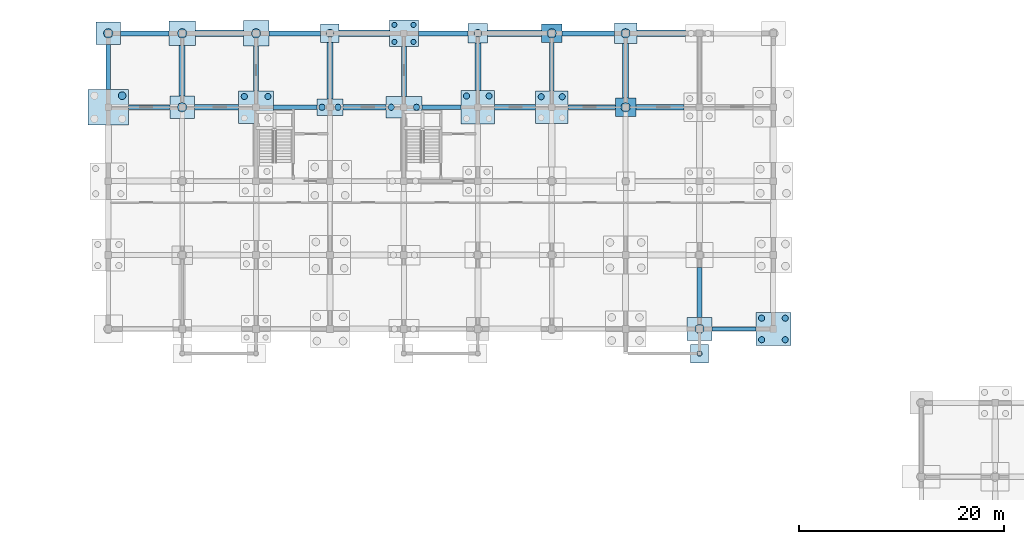
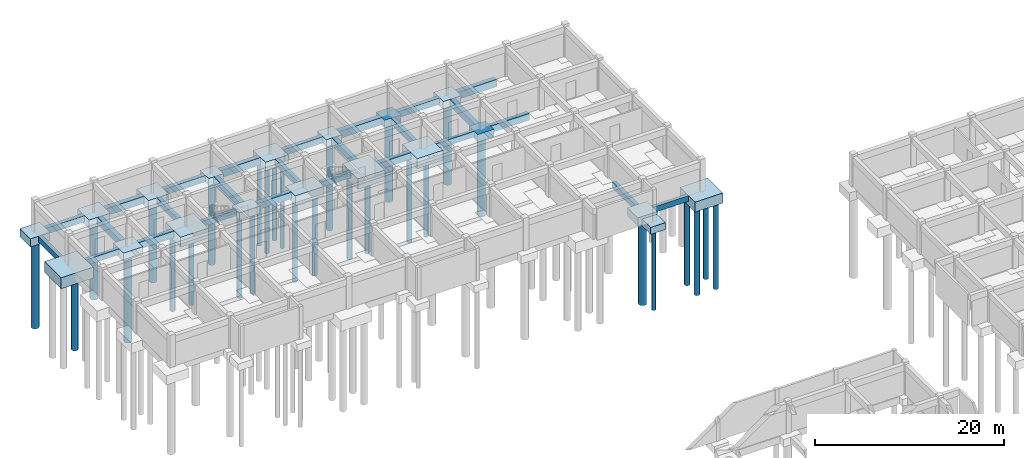
# One storey, part 15 of 38: 45 footings, 30 piles.
"""IFC4 building model written with IfcOpenShell, lengths in metres."""

from ifc_helpers import new_model, si_unit, direction, frame, origin, origin_2d, place, context, subcontext, project, spatial, polyline, rectangle, circle, outline, extrude, material, material_profile, profile_set, type_object, element, save


model = new_model("IFC4")

# Units and contexts
model_context = context("Model", 3, precision=1e-05, world=origin(), true_north=direction((0.0, 1.0)))
body_context = subcontext(model_context, "Body", "Model", "MODEL_VIEW")
ifc_project = project(units=[si_unit("LENGTHUNIT", "METRE"), si_unit("AREAUNIT", "SQUARE_METRE"), si_unit("VOLUMEUNIT", "CUBIC_METRE"), si_unit("PLANEANGLEUNIT", "RADIAN"), si_unit("MASSUNIT", "GRAM", prefix="KILO"), si_unit("THERMODYNAMICTEMPERATUREUNIT", "KELVIN"), si_unit("POWERUNIT", "WATT")], contexts=[model_context])

# Site, building, storey
site_placement = place(None, origin())
site = spatial("IfcSite", under=ifc_project, at=site_placement, CompositionType="ELEMENT")
building_placement = place(site_placement, origin())
building = spatial("IfcBuilding", under=site, at=building_placement, Name="Tavuni Mirador Residences", CompositionType="ELEMENT")
storey_placement = place(building_placement, frame((0.0, 0.0, -4.199951171875)))
storey = spatial("IfcBuildingStorey", under=building, at=storey_placement, Name="B1", CompositionType="ELEMENT", Elevation=-4.199951171875)

# Footings
ifc_material = material(Name="In-situ concrete C35/45", Category="concrete")
footing_type_1 = type_object("IfcFootingType", Name="FT-GB01", PredefinedType="FOOTING_BEAM", material=ifc_material)
footing_1_placement = place(storey_placement, frame((0.0, 0.0, -0.719970703125)))
element("IfcFooting", 1, at=footing_1_placement, inside=storey, type_object=footing_type_1, Name="GBX-BLK-C-00-03", PredefinedType="FOOTING_BEAM", context=body_context, shape_type="SweptSolid", body=[
    extrude(outline(polyline([(12.77490234375, 165.389892578125), (16.800048828125, 165.389892578125), (16.800048828125, 165.81005859375), (12.77490234375, 165.81005859375), (12.77490234375, 165.389892578125)])), origin(), (0.0, 0.0, 1.0), 0.719970703125),
])
footing_2_placement = place(storey_placement, frame((0.0, 0.0, -0.719970703125)))
element("IfcFooting", 2, at=footing_2_placement, inside=storey, type_object=footing_type_1, Name="GBX-BLK-C-02-03", PredefinedType="FOOTING_BEAM", context=body_context, shape_type="SweptSolid", body=[
    extrude(outline(polyline([(26.89990234375, 165.389892578125), (31.14990234375, 165.389892578125), (31.14990234375, 165.81005859375), (26.89990234375, 165.81005859375), (26.89990234375, 165.389892578125)])), origin(), (0.0, 0.0, 1.0), 0.719970703125),
])
footing_3_placement = place(storey_placement, frame((0.0, 0.0, -0.719970703125)))
element("IfcFooting", 3, at=footing_3_placement, inside=storey, type_object=footing_type_1, Name="GBX-BLK-C-04-03", PredefinedType="FOOTING_BEAM", context=body_context, shape_type="SweptSolid", body=[
    extrude(outline(polyline([(41.35009765625, 165.389892578125), (45.14990234375, 165.389892578125), (45.14990234375, 165.81005859375), (41.35009765625, 165.81005859375), (41.35009765625, 165.389892578125)])), origin(), (0.0, 0.0, 1.0), 0.719970703125),
])
footing_4_placement = place(storey_placement, frame((0.0, 0.0, -0.719970703125)))
element("IfcFooting", 4, at=footing_4_placement, inside=storey, type_object=footing_type_1, Name="GBX-BLK-C-06-03", PredefinedType="FOOTING_BEAM", context=body_context, shape_type="SweptSolid", body=[
    extrude(outline(polyline([(55.574951171875, 165.389892578125), (60.199951171875, 165.389892578125), (60.199951171875, 165.81005859375), (55.574951171875, 165.81005859375), (55.574951171875, 165.389892578125)])), origin(), (0.0, 0.0, 1.0), 0.719970703125),
])
footing_5_placement = place(storey_placement, frame((0.0, 0.0, -0.719970703125)))
element("IfcFooting", 5, at=footing_5_placement, inside=storey, type_object=footing_type_1, Name="GBX-BLK-C-08-00", PredefinedType="FOOTING_BEAM", context=body_context, shape_type="SweptSolid", body=[
    extrude(outline(polyline([(69.60009765625, 143.7900390625), (73.89990234375, 143.7900390625), (73.89990234375, 144.2099609375), (69.60009765625, 144.2099609375), (69.60009765625, 143.7900390625)])), origin(), (0.0, 0.0, 1.0), 0.719970703125),
])
footing_type_2 = type_object("IfcFootingType", Name="FT-GB02", PredefinedType="FOOTING_BEAM", material=ifc_material)
footing_6_placement = place(storey_placement, frame((0.0, 0.0, -0.760009765625)))
element("IfcFooting", 6, at=footing_6_placement, inside=storey, type_object=footing_type_2, Name="GBY-BLK-C-00-03", PredefinedType="FOOTING_BEAM", context=body_context, shape_type="SweptSolid", body=[
    extrude(outline(polyline([(10.570068359375, 167.35009765625), (11.030029296875, 167.35009765625), (11.030029296875, 171.699951171875), (10.570068359375, 171.699951171875), (10.570068359375, 167.35009765625)])), origin(), (0.0, 0.0, 1.0), 0.760009765625),
])
footing_7_placement = place(storey_placement, frame((0.0, 0.0, -0.760009765625)))
element("IfcFooting", 7, at=footing_7_placement, inside=storey, type_object=footing_type_2, Name="GBY-BLK-C-02-03", PredefinedType="FOOTING_BEAM", context=body_context, shape_type="SweptSolid", body=[
    extrude(outline(polyline([(24.969970703125, 167.199951171875), (25.429931640625, 167.199951171875), (25.429931640625, 171.550048828125), (24.969970703125, 171.550048828125), (24.969970703125, 167.199951171875)])), origin(), (0.0, 0.0, 1.0), 0.760009765625),
])
footing_8_placement = place(storey_placement, frame((0.0, 0.0, -0.760009765625)))
element("IfcFooting", 8, at=footing_8_placement, inside=storey, type_object=footing_type_2, Name="GBY-BLK-C-04-03", PredefinedType="FOOTING_BEAM", context=body_context, shape_type="SweptSolid", body=[
    extrude(outline(polyline([(39.3701171875, 166.64990234375), (39.830078125, 166.64990234375), (39.830078125, 171.5), (39.3701171875, 171.5), (39.3701171875, 166.64990234375)])), origin(), (0.0, 0.0, 1.0), 0.760009765625),
])
footing_9_placement = place(storey_placement, frame((0.0, 0.0, -0.760009765625)))
element("IfcFooting", 9, at=footing_9_placement, inside=storey, type_object=footing_type_2, Name="GBY-BLK-C-06-03", PredefinedType="FOOTING_BEAM", context=body_context, shape_type="SweptSolid", body=[
    extrude(outline(polyline([(53.77001953125, 167.175048828125), (54.22998046875, 167.175048828125), (54.22998046875, 171.89990234375), (53.77001953125, 171.89990234375), (53.77001953125, 167.175048828125)])), origin(), (0.0, 0.0, 1.0), 0.760009765625),
])
footing_10_placement = place(storey_placement, frame((0.0, 0.0, -0.760009765625)))
element("IfcFooting", 10, at=footing_10_placement, inside=storey, type_object=footing_type_2, Name="GBY-BLK-C-08-00", PredefinedType="FOOTING_BEAM", context=body_context, shape_type="SweptSolid", body=[
    extrude(outline(polyline([(68.169921875, 145.10009765625), (68.6298828125, 145.10009765625), (68.6298828125, 150.0), (68.169921875, 150.0), (68.169921875, 145.10009765625)])), origin(), (0.0, 0.0, 1.0), 0.760009765625),
])
footing_type_3 = type_object("IfcFootingType", Name="FT-GB03", PredefinedType="FOOTING_BEAM", material=ifc_material)
footing_11_placement = place(storey_placement, frame((0.0, 0.0, -0.800048828125)))
element("IfcFooting", 11, at=footing_11_placement, inside=storey, type_object=footing_type_3, Name="GBX-BLK-C-00-04", PredefinedType="FOOTING_BEAM", context=body_context, shape_type="SweptSolid", body=[
    extrude(outline(polyline([(12.0, 172.550048828125), (16.699951171875, 172.550048828125), (16.699951171875, 173.050048828125), (12.0, 173.050048828125), (12.0, 172.550048828125)])), origin(), (0.0, 0.0, 1.0), 0.800048828125),
])
footing_12_placement = place(storey_placement, frame((0.0, 0.0, -0.800048828125)))
element("IfcFooting", 12, at=footing_12_placement, inside=storey, type_object=footing_type_3, Name="GBX-BLK-C-02-04", PredefinedType="FOOTING_BEAM", context=body_context, shape_type="SweptSolid", body=[
    extrude(outline(polyline([(26.449951171875, 172.550048828125), (31.5, 172.550048828125), (31.5, 173.050048828125), (26.449951171875, 173.050048828125), (26.449951171875, 172.550048828125)])), origin(), (0.0, 0.0, 1.0), 0.800048828125),
])
footing_13_placement = place(storey_placement, frame((0.0, 0.0, -0.800048828125)))
element("IfcFooting", 13, at=footing_13_placement, inside=storey, type_object=footing_type_3, Name="GBX-BLK-C-04-04", PredefinedType="FOOTING_BEAM", context=body_context, shape_type="SweptSolid", body=[
    extrude(outline(polyline([(41.0, 172.550048828125), (45.85009765625, 172.550048828125), (45.85009765625, 173.050048828125), (41.0, 173.050048828125), (41.0, 172.550048828125)])), origin(), (0.0, 0.0, 1.0), 0.800048828125),
])
footing_14_placement = place(storey_placement, frame((0.0, 0.0, -0.800048828125)))
element("IfcFooting", 14, at=footing_14_placement, inside=storey, type_object=footing_type_3, Name="GBX-BLK-C-06-04", PredefinedType="FOOTING_BEAM", context=body_context, shape_type="SweptSolid", body=[
    extrude(outline(polyline([(55.0, 172.550048828125), (60.10009765625, 172.550048828125), (60.10009765625, 173.050048828125), (55.0, 173.050048828125), (55.0, 172.550048828125)])), origin(), (0.0, 0.0, 1.0), 0.800048828125),
])
footing_type_4 = type_object("IfcFootingType", Name="FT-GB04", PredefinedType="FOOTING_BEAM", material=ifc_material)
footing_15_placement = place(storey_placement, frame((0.0, 0.0, -0.840087890625)))
element("IfcFooting", 15, at=footing_15_placement, inside=storey, type_object=footing_type_4, Name="GBX-BLK-C-01-03", PredefinedType="FOOTING_BEAM", context=body_context, shape_type="SweptSolid", body=[
    extrude(outline(polyline([(19.199951171875, 165.330078125), (23.5, 165.330078125), (23.5, 165.8701171875), (19.199951171875, 165.8701171875), (19.199951171875, 165.330078125)])), origin(), (0.0, 0.0, 1.0), 0.840087890625),
])
footing_16_placement = place(storey_placement, frame((0.0, 0.0, -0.840087890625)))
element("IfcFooting", 16, at=footing_16_placement, inside=storey, type_object=footing_type_4, Name="GBX-BLK-C-03-03", PredefinedType="FOOTING_BEAM", context=body_context, shape_type="SweptSolid", body=[
    extrude(outline(polyline([(33.64990234375, 165.330078125), (37.85009765625, 165.330078125), (37.85009765625, 165.8701171875), (33.64990234375, 165.8701171875), (33.64990234375, 165.330078125)])), origin(), (0.0, 0.0, 1.0), 0.840087890625),
])
footing_17_placement = place(storey_placement, frame((0.0, 0.0, -0.840087890625)))
element("IfcFooting", 17, at=footing_17_placement, inside=storey, type_object=footing_type_4, Name="GBX-BLK-C-05-03", PredefinedType="FOOTING_BEAM", context=body_context, shape_type="SweptSolid", body=[
    extrude(outline(polyline([(48.449951171875, 165.330078125), (52.425048828125, 165.330078125), (52.425048828125, 165.8701171875), (48.449951171875, 165.8701171875), (48.449951171875, 165.330078125)])), origin(), (0.0, 0.0, 1.0), 0.840087890625),
])
footing_18_placement = place(storey_placement, frame((0.0, 0.0, -0.840087890625)))
element("IfcFooting", 18, at=footing_18_placement, inside=storey, type_object=footing_type_4, Name="GBX-BLK-C-07-03", PredefinedType="FOOTING_BEAM", context=body_context, shape_type="SweptSolid", body=[
    extrude(outline(polyline([(62.199951171875, 165.330078125), (66.89990234375, 165.330078125), (66.89990234375, 165.8701171875), (62.199951171875, 165.8701171875), (62.199951171875, 165.330078125)])), origin(), (0.0, 0.0, 1.0), 0.840087890625),
])
footing_type_5 = type_object("IfcFootingType", Name="FT-GB05", PredefinedType="FOOTING_BEAM", material=ifc_material)
footing_19_placement = place(storey_placement, frame((0.0, 0.0, -0.880126953125)))
element("IfcFooting", 19, at=footing_19_placement, inside=storey, type_object=footing_type_5, Name="GBY-BLK-C-01-03", PredefinedType="FOOTING_BEAM", context=body_context, shape_type="SweptSolid", body=[
    extrude(outline(polyline([(17.7099609375, 166.699951171875), (18.2900390625, 166.699951171875), (18.2900390625, 171.60009765625), (17.7099609375, 171.60009765625), (17.7099609375, 166.699951171875)])), origin(), (0.0, 0.0, 1.0), 0.880126953125),
])
footing_20_placement = place(storey_placement, frame((0.0, 0.0, -0.880126953125)))
element("IfcFooting", 20, at=footing_20_placement, inside=storey, type_object=footing_type_5, Name="GBY-BLK-C-03-03", PredefinedType="FOOTING_BEAM", context=body_context, shape_type="SweptSolid", body=[
    extrude(outline(polyline([(32.110107421875, 166.39990234375), (32.68994140625, 166.39990234375), (32.68994140625, 171.89990234375), (32.110107421875, 171.89990234375), (32.110107421875, 166.39990234375)])), origin(), (0.0, 0.0, 1.0), 0.880126953125),
])
footing_21_placement = place(storey_placement, frame((0.0, 0.0, -0.880126953125)))
element("IfcFooting", 21, at=footing_21_placement, inside=storey, type_object=footing_type_5, Name="GBY-BLK-C-05-03", PredefinedType="FOOTING_BEAM", context=body_context, shape_type="SweptSolid", body=[
    extrude(outline(polyline([(46.510009765625, 167.25), (47.090087890625, 167.25), (47.090087890625, 171.85009765625), (46.510009765625, 171.85009765625), (46.510009765625, 167.25)])), origin(), (0.0, 0.0, 1.0), 0.880126953125),
])
footing_22_placement = place(storey_placement, frame((0.0, 0.0, -0.880126953125)))
element("IfcFooting", 22, at=footing_22_placement, inside=storey, type_object=footing_type_5, Name="GBY-BLK-C-07-03", PredefinedType="FOOTING_BEAM", context=body_context, shape_type="SweptSolid", body=[
    extrude(outline(polyline([(60.909912109375, 166.5), (61.489990234375, 166.5), (61.489990234375, 171.800048828125), (60.909912109375, 171.800048828125), (60.909912109375, 166.5)])), origin(), (0.0, 0.0, 1.0), 0.880126953125),
])
footing_type_6 = type_object("IfcFootingType", Name="FT-GB06", PredefinedType="FOOTING_BEAM", material=ifc_material)
footing_23_placement = place(storey_placement, frame((0.0, 0.0, -0.920166015625)))
element("IfcFooting", 23, at=footing_23_placement, inside=storey, type_object=footing_type_6, Name="GBX-BLK-C-01-04", PredefinedType="FOOTING_BEAM", context=body_context, shape_type="SweptSolid", body=[
    extrude(outline(polyline([(19.300048828125, 172.489990234375), (23.949951171875, 172.489990234375), (23.949951171875, 173.110107421875), (19.300048828125, 173.110107421875), (19.300048828125, 172.489990234375)])), origin(), (0.0, 0.0, 1.0), 0.920166015625),
])
footing_24_placement = place(storey_placement, frame((0.0, 0.0, -0.920166015625)))
element("IfcFooting", 24, at=footing_24_placement, inside=storey, type_object=footing_type_6, Name="GBX-BLK-C-03-04", PredefinedType="FOOTING_BEAM", context=body_context, shape_type="SweptSolid", body=[
    extrude(outline(polyline([(33.300048828125, 172.489990234375), (38.199951171875, 172.489990234375), (38.199951171875, 173.110107421875), (33.300048828125, 173.110107421875), (33.300048828125, 172.489990234375)])), origin(), (0.0, 0.0, 1.0), 0.920166015625),
])
footing_25_placement = place(storey_placement, frame((0.0, 0.0, -0.920166015625)))
element("IfcFooting", 25, at=footing_25_placement, inside=storey, type_object=footing_type_6, Name="GBX-BLK-C-05-04", PredefinedType="FOOTING_BEAM", context=body_context, shape_type="SweptSolid", body=[
    extrude(outline(polyline([(47.75, 172.489990234375), (53.0, 172.489990234375), (53.0, 173.110107421875), (47.75, 173.110107421875), (47.75, 172.489990234375)])), origin(), (0.0, 0.0, 1.0), 0.920166015625),
])
footing_26_placement = place(storey_placement, frame((0.0, 0.0, -0.920166015625)))
element("IfcFooting", 26, at=footing_26_placement, inside=storey, type_object=footing_type_6, Name="GBX-BLK-C-07-04", PredefinedType="FOOTING_BEAM", context=body_context, shape_type="SweptSolid", body=[
    extrude(outline(polyline([(62.300048828125, 172.489990234375), (67.050048828125, 172.489990234375), (67.050048828125, 173.110107421875), (62.300048828125, 173.110107421875), (62.300048828125, 172.489990234375)])), origin(), (0.0, 0.0, 1.0), 0.920166015625),
])
footing_type_7 = type_object("IfcFootingType", Name="FT-PC01", PredefinedType="PILE_CAP", material=ifc_material)
for number, where, z_axis, x_axis, name in (
    (27, (32.39990234375, 172.800048828125, -0.89990234375), (0.0, 0.0, 1.0), (1.0, 0.0, 0.0), "CAP-BLK-C-03-04"),
    (28, (68.39990234375, 141.60009765625, -0.89990234375), (0.0, 0.0, 1.0), (1.0, 0.0, 0.0), "CAP-APR-BLKC-S3-1"),
):
    element("IfcFooting", number, at=place(storey_placement, frame(where, z_axis=z_axis, x_axis=x_axis)), inside=storey, type_object=footing_type_7, Name=name, PredefinedType="PILE_CAP", context=body_context, shape_type="SweptSolid", body=[
        extrude(rectangle(XDim=1.800048828125, YDim=1.800048828125, at=origin_2d()), origin(), (0.0, 0.0, 1.0), 0.89990234375),
    ])
footing_type_8 = type_object("IfcFootingType", Name="FT-PC02", PredefinedType="PILE_CAP", material=ifc_material)
for number, where, z_axis, x_axis, name in (
    (29, (54.0, 172.800048828125, -0.9501953125), (0.0, 0.0, 1.0), (1.0, 0.0, 0.0), "CAP-BLK-C-06-04"),
    (30, (61.199951171875, 165.60009765625, -0.9501953125), (0.0, 0.0, 1.0), (1.0, 0.0, 0.0), "CAP-BLK-C-07-03"),
):
    element("IfcFooting", number, at=place(storey_placement, frame(where, z_axis=z_axis, x_axis=x_axis)), inside=storey, type_object=footing_type_8, Name=name, PredefinedType="PILE_CAP", context=body_context, shape_type="SweptSolid", body=[
        extrude(rectangle(XDim=2.0, YDim=1.800048828125, at=origin_2d()), origin(), (0.0, 0.0, 1.0), 0.949951171875),
    ])
footing_type_9 = type_object("IfcFootingType", Name="FT-PC03", PredefinedType="PILE_CAP", material=ifc_material)
footing_27_placement = place(storey_placement, frame((61.199951171875, 172.800048828125, -1.0), z_axis=(0.0, 0.0, 1.0), x_axis=(1.0, 0.0, 0.0)))
element("IfcFooting", 31, at=footing_27_placement, inside=storey, type_object=footing_type_9, Name="CAP-BLK-C-07-04", PredefinedType="PILE_CAP", context=body_context, shape_type="SweptSolid", body=[
    extrude(rectangle(XDim=2.199951171875, YDim=2.0, at=origin_2d()), origin(), (0.0, 0.0, 1.0), 1.0),
])
footing_type_10 = type_object("IfcFootingType", Name="FT-PC04", PredefinedType="PILE_CAP", material=ifc_material)
for number, where, z_axis, x_axis, name in (
    (32, (10.800048828125, 172.800048828125, -1.05029296875), (0.0, 0.0, 1.0), (1.0, 0.0, 0.0), "CAP-BLK-C-00-04"),
    (33, (18.0, 165.60009765625, -1.05029296875), (0.0, 0.0, 1.0), (1.0, 0.0, 0.0), "CAP-BLK-C-01-03"),
    (34, (68.39990234375, 144.0, -1.05029296875), (0.0, 0.0, 1.0), (1.0, 0.0, 0.0), "CAP-BLK-C-08-00"),
):
    element("IfcFooting", number, at=place(storey_placement, frame(where, z_axis=z_axis, x_axis=x_axis)), inside=storey, type_object=footing_type_10, Name=name, PredefinedType="PILE_CAP", context=body_context, shape_type="SweptSolid", body=[
        extrude(rectangle(XDim=2.39990234375, YDim=2.199951171875, at=origin_2d()), origin(), (0.0, 0.0, 1.0), 1.050048828125),
    ])
footing_type_11 = type_object("IfcFootingType", Name="FT-PC05", PredefinedType="PILE_CAP", material=ifc_material)
footing_28_placement = place(storey_placement, frame((18.0, 172.800048828125, -1.10009765625), z_axis=(0.0, 0.0, 1.0), x_axis=(1.0, 0.0, 0.0)))
element("IfcFooting", 35, at=footing_28_placement, inside=storey, type_object=footing_type_11, Name="CAP-BLK-C-01-04", PredefinedType="PILE_CAP", context=body_context, shape_type="SweptSolid", body=[
    extrude(rectangle(XDim=2.60009765625, YDim=2.39990234375, at=origin_2d()), origin(), (0.0, 0.0, 1.0), 1.10009765625),
])
footing_type_12 = type_object("IfcFootingType", Name="FT-PC06", PredefinedType="PILE_CAP", material=ifc_material)
footing_29_placement = place(storey_placement, frame((39.60009765625, 172.800048828125, -1.14990234375), z_axis=(0.0, 0.0, 1.0), x_axis=(1.0, 0.0, 0.0)))
element("IfcFooting", 36, at=footing_29_placement, inside=storey, type_object=footing_type_12, Name="CAP-BLK-C-04-04", PredefinedType="PILE_CAP", context=body_context, shape_type="SweptSolid", body=[
    extrude(rectangle(XDim=2.800048828125, YDim=2.60009765625, at=origin_2d()), origin(), (0.0, 0.0, 1.0), 1.14990234375),
])
footing_type_13 = type_object("IfcFootingType", Name="FT-PC09", PredefinedType="PILE_CAP", material=ifc_material)
for number, where, z_axis, x_axis, name in (
    (37, (25.199951171875, 165.60009765625, -1.30029296875), (0.0, 0.0, 1.0), (1.0, 0.0, 0.0), "CAP-BLK-C-02-03"),
    (38, (75.60009765625, 144.0, -1.30029296875), (0.0, 0.0, 1.0), (1.0, 0.0, 0.0), "CAP-BLK-C-09-00"),
):
    element("IfcFooting", number, at=place(storey_placement, frame(where, z_axis=z_axis, x_axis=x_axis)), inside=storey, type_object=footing_type_13, Name=name, PredefinedType="PILE_CAP", context=body_context, shape_type="SweptSolid", body=[
        extrude(rectangle(XDim=3.39990234375, YDim=3.199951171875, at=origin_2d()), origin(), (0.0, 0.0, 1.0), 1.300048828125),
    ])
footing_type_14 = type_object("IfcFootingType", Name="FT-PC14", PredefinedType="PILE_CAP", material=ifc_material)
footing_30_placement = place(storey_placement, frame((32.39990234375, 165.60009765625, -0.9501953125), z_axis=(0.0, 0.0, 1.0), x_axis=(1.0, 0.0, 0.0)))
element("IfcFooting", 39, at=footing_30_placement, inside=storey, type_object=footing_type_14, Name="CAP-BLK-C-03-03", PredefinedType="PILE_CAP", context=body_context, shape_type="SweptSolid", body=[
    extrude(rectangle(XDim=2.5, YDim=1.60009765625, at=origin_2d()), origin(), (0.0, 0.0, 1.0), 0.949951171875),
])
footing_type_15 = type_object("IfcFootingType", Name="FT-PC19", PredefinedType="PILE_CAP", material=ifc_material)
footing_31_placement = place(storey_placement, frame((39.60009765625, 165.60009765625, -1.2001953125), z_axis=(0.0, 0.0, 1.0), x_axis=(1.0, 0.0, 0.0)))
element("IfcFooting", 40, at=footing_31_placement, inside=storey, type_object=footing_type_15, Name="CAP-BLK-C-04-03", PredefinedType="PILE_CAP", context=body_context, shape_type="SweptSolid", body=[
    extrude(rectangle(XDim=3.5, YDim=2.10009765625, at=origin_2d()), origin(), (0.0, 0.0, 1.0), 1.199951171875),
])
footing_type_16 = type_object("IfcFootingType", Name="FT-PC22", PredefinedType="PILE_CAP", material=ifc_material)
footing_32_placement = place(storey_placement, frame((25.199951171875, 172.800048828125, -1.14990234375), z_axis=(0.0, 0.0, 1.0), x_axis=(1.0, 0.0, 0.0)))
element("IfcFooting", 41, at=footing_32_placement, inside=storey, type_object=footing_type_16, Name="CAP-BLK-C-02-04", PredefinedType="PILE_CAP", context=body_context, shape_type="SweptSolid", body=[
    extrude(rectangle(XDim=2.5, YDim=2.5, at=origin_2d()), origin(), (0.0, 0.0, 1.0), 1.14990234375),
])
footing_type_17 = type_object("IfcFootingType", Name="FT-PC24", PredefinedType="PILE_CAP", material=ifc_material)
footing_33_placement = place(storey_placement, frame((46.800048828125, 165.60009765625, -1.35009765625), z_axis=(0.0, 0.0, 1.0), x_axis=(1.0, 0.0, 0.0)))
element("IfcFooting", 42, at=footing_33_placement, inside=storey, type_object=footing_type_17, Name="CAP-BLK-C-05-03", PredefinedType="PILE_CAP", context=body_context, shape_type="SweptSolid", body=[
    extrude(rectangle(XDim=3.300048828125, YDim=3.300048828125, at=origin_2d()), origin(), (0.0, 0.0, 1.0), 1.35009765625),
])
footing_type_18 = type_object("IfcFootingType", Name="FT-PC25", PredefinedType="PILE_CAP", material=ifc_material)
footing_34_placement = place(storey_placement, frame((46.800048828125, 172.800048828125, -0.919921875), z_axis=(0.0, 0.0, 1.0), x_axis=(1.0, 0.0, 0.0)))
element("IfcFooting", 43, at=footing_34_placement, inside=storey, type_object=footing_type_18, Name="CAP-BLK-C-05-04", PredefinedType="PILE_CAP", context=body_context, shape_type="SweptSolid", body=[
    extrude(rectangle(XDim=1.89990234375, YDim=1.89990234375, at=origin_2d()), origin(), (0.0, 0.0, 1.0), 0.919921875),
])
footing_type_19 = type_object("IfcFootingType", Name="FT-PC29", PredefinedType="PILE_CAP", material=ifc_material)
footing_35_placement = place(storey_placement, frame((54.0, 165.60009765625, -1.2802734375), z_axis=(0.0, 0.0, 1.0), x_axis=(1.0, 0.0, 0.0)))
element("IfcFooting", 44, at=footing_35_placement, inside=storey, type_object=footing_type_19, Name="CAP-BLK-C-06-03", PredefinedType="PILE_CAP", context=body_context, shape_type="SweptSolid", body=[
    extrude(rectangle(XDim=3.14990234375, YDim=3.14990234375, at=origin_2d()), origin(), (0.0, 0.0, 1.0), 1.280029296875),
])
footing_type_20 = type_object("IfcFootingType", Name="FT-PC31", PredefinedType="PILE_CAP", material=ifc_material)
footing_36_placement = place(storey_placement, frame((10.800048828125, 165.60009765625, -1.419921875), z_axis=(0.0, 0.0, 1.0), x_axis=(1.0, 0.0, 0.0)))
element("IfcFooting", 45, at=footing_36_placement, inside=storey, type_object=footing_type_20, Name="CAP-BLK-C-00-03", PredefinedType="PILE_CAP", context=body_context, shape_type="SweptSolid", body=[
    extrude(rectangle(XDim=3.949951171875, YDim=3.5, at=origin_2d()), origin(), (0.0, 0.0, 1.0), 1.419921875),
])

# Piles
ifc_material_profile_1 = material_profile(ifc_material, circle(Radius=0.25, at=origin_2d()), Name="PILE D500", Category="concrete")
ifc_profile_set_1 = profile_set([ifc_material_profile_1], Name="In-situ concrete C35/45")
pile_type_1 = type_object("IfcPileType", Name="PT-D500", PredefinedType="BORED", material=ifc_profile_set_1)
for number, where, z_axis, x_axis, name in (
    (46, (38.669921875, 171.969970703125, -1.150146484375), (0.0, 0.0, -1.0), (1.0, 0.0, 0.0), "PIL-BLK-C-04-04-1"),
    (47, (40.530029296875, 171.969970703125, -1.150146484375), (0.0, 0.0, -1.0), (1.0, 0.0, 0.0), "PIL-BLK-C-04-04-2"),
    (48, (38.669921875, 173.6298828125, -1.150146484375), (0.0, 0.0, -1.0), (1.0, 0.0, 0.0), "PIL-BLK-C-04-04-3"),
    (49, (40.530029296875, 173.6298828125, -1.150146484375), (0.0, 0.0, -1.0), (1.0, 0.0, 0.0), "PIL-BLK-C-04-04-4"),
):
    element("IfcPile", number, at=place(storey_placement, frame(where, z_axis=z_axis, x_axis=x_axis)), inside=storey, type_object=pile_type_1, Name=name, PredefinedType="BORED", context=body_context, shape_type="SweptSolid", body=[
        extrude(circle(Radius=0.25, at=origin_2d()), origin(), (0.0, 0.0, 1.0), 10.949951171875),
    ])
pile_1_placement = place(storey_placement, frame((68.39990234375, 141.60009765625, -0.800048828125), z_axis=(0.0, 0.0, -1.0), x_axis=(1.0, 0.0, 0.0)))
element("IfcPile", 50, at=pile_1_placement, inside=storey, type_object=pile_type_1, Name="PIL-APR-BLKC-S3-1", PredefinedType="BORED", context=body_context, shape_type="SweptSolid", body=[
    extrude(circle(Radius=0.25, at=origin_2d()), origin(), (0.0, 0.0, 1.0), 10.60009765625),
])
ifc_material_profile_2 = material_profile(ifc_material, circle(Radius=0.300048828125, at=origin_2d()), Name="PILE D600", Category="concrete")
ifc_profile_set_2 = profile_set([ifc_material_profile_2], Name="In-situ concrete C35/45")
pile_type_2 = type_object("IfcPileType", Name="PT-D600", PredefinedType="BORED", material=ifc_profile_set_2)
for number, where, z_axis, x_axis, name in (
    (51, (24.050048828125, 166.64990234375, -1.300048828125), (0.0, 0.0, -1.0), (1.0, 0.0, 0.0), "PIL-BLK-C-02-03-3"),
    (52, (26.35009765625, 166.64990234375, -1.300048828125), (0.0, 0.0, -1.0), (1.0, 0.0, 0.0), "PIL-BLK-C-02-03-4"),
):
    element("IfcPile", number, at=place(storey_placement, frame(where, z_axis=z_axis, x_axis=x_axis)), inside=storey, type_object=pile_type_2, Name=name, PredefinedType="BORED", context=body_context, shape_type="SweptSolid", body=[
        extrude(circle(Radius=0.300048828125, at=origin_2d()), origin(), (0.0, 0.0, 1.0), 9.89990234375),
    ])
for number, where, z_axis, x_axis, name in (
    (53, (31.6201171875, 165.60009765625, -0.949951171875), (0.0, 0.0, -1.0), (1.0, 0.0, 0.0), "PIL-BLK-C-03-03-1"),
    (54, (33.179931640625, 165.60009765625, -0.949951171875), (0.0, 0.0, -1.0), (1.0, 0.0, 0.0), "PIL-BLK-C-03-03-2"),
):
    element("IfcPile", number, at=place(storey_placement, frame(where, z_axis=z_axis, x_axis=x_axis)), inside=storey, type_object=pile_type_2, Name=name, PredefinedType="BORED", context=body_context, shape_type="SweptSolid", body=[
        extrude(circle(Radius=0.300048828125, at=origin_2d()), origin(), (0.0, 0.0, 1.0), 10.550048828125),
    ])
for number, where, z_axis, x_axis, name in (
    (55, (38.3701171875, 165.60009765625, -1.199951171875), (0.0, 0.0, -1.0), (1.0, 0.0, 0.0), "PIL-BLK-C-04-03-1"),
    (56, (40.830078125, 165.60009765625, -1.199951171875), (0.0, 0.0, -1.0), (1.0, 0.0, 0.0), "PIL-BLK-C-04-03-2"),
):
    element("IfcPile", number, at=place(storey_placement, frame(where, z_axis=z_axis, x_axis=x_axis)), inside=storey, type_object=pile_type_2, Name=name, PredefinedType="BORED", context=body_context, shape_type="SweptSolid", body=[
        extrude(circle(Radius=0.300048828125, at=origin_2d()), origin(), (0.0, 0.0, 1.0), 10.60009765625),
    ])
for number, where, z_axis, x_axis, name in (
    (57, (45.699951171875, 166.699951171875, -1.35009765625), (0.0, 0.0, -1.0), (1.0, 0.0, 0.0), "PIL-BLK-C-05-03-3"),
    (58, (47.89990234375, 166.699951171875, -1.35009765625), (0.0, 0.0, -1.0), (1.0, 0.0, 0.0), "PIL-BLK-C-05-03-4"),
):
    element("IfcPile", number, at=place(storey_placement, frame(where, z_axis=z_axis, x_axis=x_axis)), inside=storey, type_object=pile_type_2, Name=name, PredefinedType="BORED", context=body_context, shape_type="SweptSolid", body=[
        extrude(circle(Radius=0.300048828125, at=origin_2d()), origin(), (0.0, 0.0, 1.0), 10.75),
    ])
for number, where, z_axis, x_axis, name in (
    (59, (52.97509765625, 166.625, -1.280029296875), (0.0, 0.0, -1.0), (1.0, 0.0, 0.0), "PIL-BLK-C-06-03-3"),
    (60, (55.02490234375, 166.625, -1.280029296875), (0.0, 0.0, -1.0), (1.0, 0.0, 0.0), "PIL-BLK-C-06-03-4"),
):
    element("IfcPile", number, at=place(storey_placement, frame(where, z_axis=z_axis, x_axis=x_axis)), inside=storey, type_object=pile_type_2, Name=name, PredefinedType="BORED", context=body_context, shape_type="SweptSolid", body=[
        extrude(circle(Radius=0.300048828125, at=origin_2d()), origin(), (0.0, 0.0, 1.0), 11.1201171875),
    ])
for number, where, z_axis, x_axis, name in (
    (61, (74.449951171875, 142.949951171875, -1.300048828125), (0.0, 0.0, -1.0), (1.0, 0.0, 0.0), "PIL-BLK-C-09-00-1"),
    (62, (76.75, 142.949951171875, -1.300048828125), (0.0, 0.0, -1.0), (1.0, 0.0, 0.0), "PIL-BLK-C-09-00-2"),
    (63, (74.449951171875, 145.050048828125, -1.300048828125), (0.0, 0.0, -1.0), (1.0, 0.0, 0.0), "PIL-BLK-C-09-00-3"),
    (64, (76.75, 145.050048828125, -1.300048828125), (0.0, 0.0, -1.0), (1.0, 0.0, 0.0), "PIL-BLK-C-09-00-4"),
):
    element("IfcPile", number, at=place(storey_placement, frame(where, z_axis=z_axis, x_axis=x_axis)), inside=storey, type_object=pile_type_2, Name=name, PredefinedType="BORED", context=body_context, shape_type="SweptSolid", body=[
        extrude(circle(Radius=0.300048828125, at=origin_2d()), origin(), (0.0, 0.0, 1.0), 11.10009765625),
    ])
ifc_material_profile_3 = material_profile(ifc_material, circle(Radius=0.375, at=origin_2d()), Name="PILE D750", Category="concrete")
ifc_profile_set_3 = profile_set([ifc_material_profile_3], Name="In-situ concrete C35/45")
pile_type_3 = type_object("IfcPileType", Name="PT-D750", PredefinedType="BORED", material=ifc_profile_set_3)
pile_2_placement = place(storey_placement, frame((12.14990234375, 166.72509765625, -1.420166015625), z_axis=(0.0, 0.0, -1.0), x_axis=(1.0, 0.0, 0.0)))
element("IfcPile", 65, at=pile_2_placement, inside=storey, type_object=pile_type_3, Name="PIL-BLK-C-00-03-4", PredefinedType="BORED", context=body_context, shape_type="SweptSolid", body=[
    extrude(circle(Radius=0.375, at=origin_2d()), origin(), (0.0, 0.0, 1.0), 10.679931640625),
])
pile_3_placement = place(storey_placement, frame((32.39990234375, 172.800048828125, -0.900146484375), z_axis=(0.0, 0.0, -1.0), x_axis=(1.0, 0.0, 0.0)))
element("IfcPile", 66, at=pile_3_placement, inside=storey, type_object=pile_type_3, Name="PIL-BLK-C-03-04-1", PredefinedType="BORED", context=body_context, shape_type="SweptSolid", body=[
    extrude(circle(Radius=0.375, at=origin_2d()), origin(), (0.0, 0.0, 1.0), 10.89990234375),
])
pile_4_placement = place(storey_placement, frame((46.800048828125, 172.800048828125, -0.920166015625), z_axis=(0.0, 0.0, -1.0), x_axis=(1.0, 0.0, 0.0)))
element("IfcPile", 67, at=pile_4_placement, inside=storey, type_object=pile_type_3, Name="PIL-BLK-C-05-04-1", PredefinedType="BORED", context=body_context, shape_type="SweptSolid", body=[
    extrude(circle(Radius=0.375, at=origin_2d()), origin(), (0.0, 0.0, 1.0), 11.47998046875),
])
ifc_material_profile_4 = material_profile(ifc_material, circle(Radius=0.449951171875, at=origin_2d()), Name="PILE D900", Category="concrete")
ifc_profile_set_4 = profile_set([ifc_material_profile_4], Name="In-situ concrete C35/45")
pile_type_4 = type_object("IfcPileType", Name="PT-D900", PredefinedType="BORED", material=ifc_profile_set_4)
for number, where, z_axis, x_axis, name in (
    (68, (10.800048828125, 172.800048828125, -1.050048828125), (0.0, 0.0, -1.0), (1.0, 0.0, 0.0), "PIL-BLK-C-00-04-1"),
    (69, (18.0, 165.60009765625, -1.050048828125), (0.0, 0.0, -1.0), (1.0, 0.0, 0.0), "PIL-BLK-C-01-03-1"),
):
    element("IfcPile", number, at=place(storey_placement, frame(where, z_axis=z_axis, x_axis=x_axis)), inside=storey, type_object=pile_type_4, Name=name, PredefinedType="BORED", context=body_context, shape_type="SweptSolid", body=[
        extrude(circle(Radius=0.449951171875, at=origin_2d()), origin(), (0.0, 0.0, 1.0), 11.35009765625),
    ])
pile_5_placement = place(storey_placement, frame((18.0, 172.800048828125, -1.10009765625), z_axis=(0.0, 0.0, -1.0), x_axis=(1.0, 0.0, 0.0)))
element("IfcPile", 70, at=pile_5_placement, inside=storey, type_object=pile_type_4, Name="PIL-BLK-C-01-04-1", PredefinedType="BORED", context=body_context, shape_type="SweptSolid", body=[
    extrude(circle(Radius=0.449951171875, at=origin_2d()), origin(), (0.0, 0.0, 1.0), 10.10009765625),
])
pile_6_placement = place(storey_placement, frame((25.199951171875, 172.800048828125, -1.150146484375), z_axis=(0.0, 0.0, -1.0), x_axis=(1.0, 0.0, 0.0)))
element("IfcPile", 71, at=pile_6_placement, inside=storey, type_object=pile_type_4, Name="PIL-BLK-C-02-04-1", PredefinedType="BORED", context=body_context, shape_type="SweptSolid", body=[
    extrude(circle(Radius=0.449951171875, at=origin_2d()), origin(), (0.0, 0.0, 1.0), 10.35009765625),
])
for number, where, z_axis, x_axis, name in (
    (72, (54.0, 172.800048828125, -0.949951171875), (0.0, 0.0, -1.0), (1.0, 0.0, 0.0), "PIL-BLK-C-06-04-1"),
    (73, (61.199951171875, 165.60009765625, -0.949951171875), (0.0, 0.0, -1.0), (1.0, 0.0, 0.0), "PIL-BLK-C-07-03-1"),
):
    element("IfcPile", number, at=place(storey_placement, frame(where, z_axis=z_axis, x_axis=x_axis)), inside=storey, type_object=pile_type_4, Name=name, PredefinedType="BORED", context=body_context, shape_type="SweptSolid", body=[
        extrude(circle(Radius=0.449951171875, at=origin_2d()), origin(), (0.0, 0.0, 1.0), 10.25),
    ])
pile_7_placement = place(storey_placement, frame((61.199951171875, 172.800048828125, -1.0), z_axis=(0.0, 0.0, -1.0), x_axis=(1.0, 0.0, 0.0)))
element("IfcPile", 74, at=pile_7_placement, inside=storey, type_object=pile_type_4, Name="PIL-BLK-C-07-04-1", PredefinedType="BORED", context=body_context, shape_type="SweptSolid", body=[
    extrude(circle(Radius=0.449951171875, at=origin_2d()), origin(), (0.0, 0.0, 1.0), 10.5),
])
pile_8_placement = place(storey_placement, frame((68.39990234375, 144.0, -1.050048828125), z_axis=(0.0, 0.0, -1.0), x_axis=(1.0, 0.0, 0.0)))
element("IfcPile", 75, at=pile_8_placement, inside=storey, type_object=pile_type_4, Name="PIL-BLK-C-08-00-1", PredefinedType="BORED", context=body_context, shape_type="SweptSolid", body=[
    extrude(circle(Radius=0.449951171875, at=origin_2d()), origin(), (0.0, 0.0, 1.0), 11.050048828125),
])

save(model, "model.ifc")
